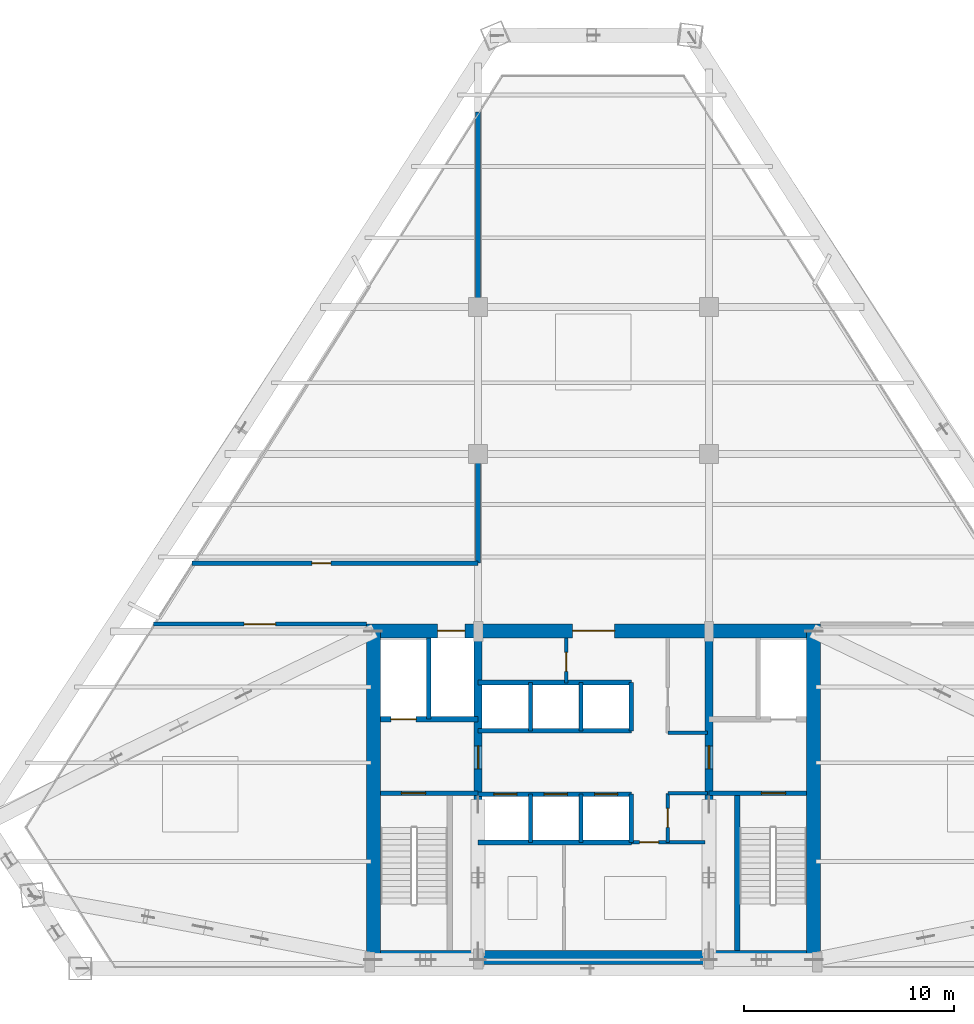
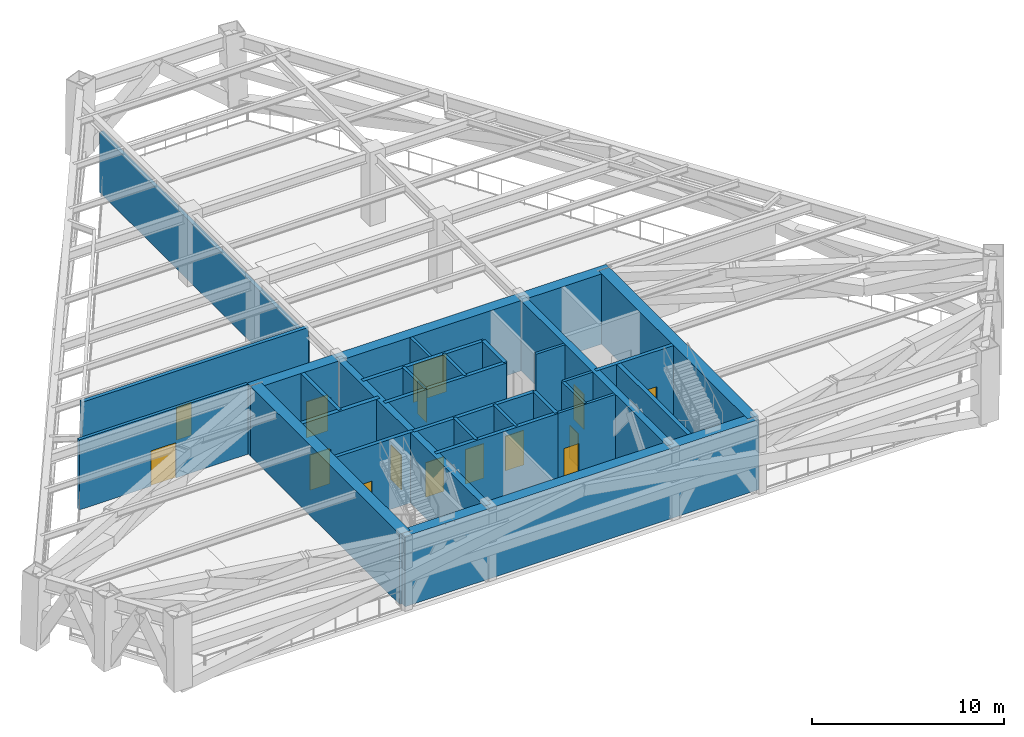
# One storey, part 6 of 9: 29 walls, 15 doors, 15 openings.
"""IFC4 building model written with IfcOpenShell, lengths in metres."""

from ifc_helpers import new_model, si_unit, direction, frame, frame_2d, origin, place, context, subcontext, project, spatial, rectangle, extrude, source, transform, mapped, material, layer, layer_set, type_object, type_shapes, element, fill, save


model = new_model("IFC4")

# Units and contexts
model_context = context("Model", 3, precision=1e-05, world=origin(), true_north=direction((0.0, 1.0)))
body_context = subcontext(model_context, "Body", "Model", "MODEL_VIEW")
ifc_project = project(units=[si_unit("LENGTHUNIT", "METRE"), si_unit("AREAUNIT", "SQUARE_METRE"), si_unit("VOLUMEUNIT", "CUBIC_METRE"), si_unit("PLANEANGLEUNIT", "RADIAN"), si_unit("MASSUNIT", "GRAM", prefix="KILO")], contexts=[model_context])

# Site, building, storey
site_placement = place(None, origin())
site = spatial("IfcSite", under=ifc_project, at=site_placement, CompositionType="ELEMENT")
building_placement = place(site_placement, origin())
building = spatial("IfcBuilding", under=site, at=building_placement, Name="Varnakhor Terracotta Tower", CompositionType="ELEMENT")
storey_placement = place(building_placement, frame((0.0, 0.0, 166.300048828125)))
storey = spatial("IfcBuildingStorey", under=building, at=storey_placement, Name="L42", CompositionType="ELEMENT", Elevation=166.300048828125)

# Wall
ifc_material_1 = material(Name="Concrete C50/60", Category="concrete")
ifc_layer_1 = layer(ifc_material_1, 0.64990234375, Name="Concrete C50/60")
ifc_layer_set_1 = layer_set([ifc_layer_1], Name="Concrete C50/60")
wall_type_1 = type_object("IfcWallType", Name="WAL-CORE-650", PredefinedType="SHEAR", material=ifc_layer_set_1)
wall_1_placement = place(storey_placement, frame((-10.64990234375, 0.52490234375, 0.0), z_axis=(0.0, 0.0, 1.0), x_axis=(1.0, 0.0, 0.0)))
element("IfcWall", 1, at=wall_1_placement, inside=storey, type_object=wall_type_1, Name="L42 South Core Shear Wall", PredefinedType="SHEAR", context=body_context, shape_type="SweptSolid", body=[
    extrude(rectangle(XDim=21.2998046875, YDim=0.64990234375, at=frame_2d((10.64990234375, 0.0))), origin(), (0.0, 0.0, 1.0), 4.469970703125),
])

# Wall, openings, doors
wall_2_placement = place(storey_placement, frame((-10.800048828125, 16.074951171875, 0.0), z_axis=(0.0, 0.0, 1.0), x_axis=(1.0, 0.0, 0.0)))
wall_2 = element("IfcWall", 2, at=wall_2_placement, inside=storey, type_object=wall_type_1, Name="L42 North Core Shear Wall", PredefinedType="SHEAR", context=body_context, shape_type="SweptSolid", body=[
    extrude(rectangle(XDim=21.60009765625, YDim=0.64990234375, at=frame_2d((10.800048828125, 0.0))), origin(), (0.0, 0.0, 1.0), 4.469970703125),
])
opening_1_placement = place(wall_2_placement, frame((3.3701171875, 0.0, 0.0)))
opening_1 = element("IfcOpeningElement", 3, at=opening_1_placement, cuts=wall_2, Name="Opening LD-03", PredefinedType="OPENING", context=body_context, shape_type="SweptSolid", body=[
    extrude(rectangle(XDim=1.300048828125, YDim=2.300048828125, at=frame_2d((0.64990234375, 1.14990234375))), frame((0.0, 0.3349609375, 0.0), z_axis=(0.0, -1.0, 0.0), x_axis=(1.0, 0.0, 0.0)), (0.0, 0.0, 1.0), 0.669921875),
])
opening_2_placement = place(wall_2_placement, frame((9.800048828125, 0.0, 0.0)))
opening_2 = element("IfcOpeningElement", 4, at=opening_2_placement, cuts=wall_2, Name="Opening DR-32", PredefinedType="OPENING", context=body_context, shape_type="SweptSolid", body=[
    extrude(rectangle(XDim=2.0, YDim=2.39990234375, at=frame_2d((1.0, 1.199951171875))), frame((0.0, 0.3349609375, 0.0), z_axis=(0.0, -1.0, 0.0), x_axis=(1.0, 0.0, 0.0)), (0.0, 0.0, 1.0), 0.669921875),
])
ifc_material_2 = material(Name="Heavy-Duty Goods Sliding Lift Landing Door", Category="steel")
door_type_1 = type_object("IfcDoorType", Name="LD-SRV-1300X2300", OperationType="NOTDEFINED", PredefinedType="DOOR", material=ifc_material_2)
shared_shape_1 = source(origin(), body_context, "Body", "SweptSolid", [
    extrude(rectangle(XDim=1.300048828125, YDim=2.300048828125, at=frame_2d((0.64990234375, 1.14990234375))), frame((0.0, 0.02490234375, 0.0), z_axis=(0.0, -1.0, 0.0), x_axis=(1.0, 0.0, 0.0)), (0.0, 0.0, 1.0), 0.050048828125),
])
type_shapes(door_type_1, [shared_shape_1])
door_1_placement = place(opening_1_placement, origin())
door_1 = element("IfcDoor", 5, at=door_1_placement, inside=storey, type_object=door_type_1, Name="L42 Service Lift SVL-1 Landing Door", OperationType="SLIDING_TO_RIGHT", OverallHeight=2.300048828125, OverallWidth=1.300048828125, PredefinedType="DOOR", context=body_context, shape_type="MappedRepresentation", body=[
    mapped(shared_shape_1, transform((0.0, 0.0, 0.0), scale=1.0)),
])
fill(opening_1, door_1)
ifc_material_3 = material(Name="Acoustic Double Assembly Fire Door", Category="wood")
door_type_2 = type_object("IfcDoorType", Name="DR-HALL-2000X2400", OperationType="NOTDEFINED", PredefinedType="DOOR", material=ifc_material_3)
shared_shape_2 = source(origin(), body_context, "Body", "SweptSolid", [
    extrude(rectangle(XDim=2.0, YDim=2.39990234375, at=frame_2d((1.0, 1.199951171875))), frame((0.0, 0.02490234375, 0.0), z_axis=(0.0, -1.0, 0.0), x_axis=(1.0, 0.0, 0.0)), (0.0, 0.0, 1.0), 0.050048828125),
])
type_shapes(door_type_2, [shared_shape_2])
door_2_placement = place(opening_2_placement, origin())
door_2 = element("IfcDoor", 6, at=door_2_placement, inside=storey, type_object=door_type_2, Name="L42 Core Main Lobby Double Door", OperationType="DOUBLE_DOOR_SINGLE_SWING", OverallHeight=2.39990234375, OverallWidth=2.0, PredefinedType="DOOR", context=body_context, shape_type="MappedRepresentation", body=[
    mapped(shared_shape_2, transform((0.0, 0.0, 0.0), scale=1.0)),
])
fill(opening_2, door_2)

# Walls
for number, where, z_axis, x_axis, name in (
    (7, (-10.47509765625, 0.52490234375, 0.0), (0.0, 0.0, 1.0), (0.0, 1.0, 0.0), "L42 West Core Shear Wall"),
    (8, (10.47509765625, 0.52490234375, 0.0), (0.0, 0.0, 1.0), (0.0, 1.0, 0.0), "L42 East Core Shear Wall"),
):
    element("IfcWall", number, at=place(storey_placement, frame(where, z_axis=z_axis, x_axis=x_axis)), inside=storey, type_object=wall_type_1, Name=name, PredefinedType="SHEAR", context=body_context, shape_type="SweptSolid", body=[
        extrude(rectangle(XDim=15.550048828125, YDim=0.64990234375, at=frame_2d((7.77490234375, 0.0))), origin(), (0.0, 0.0, 1.0), 4.469970703125),
    ])

# Wall, opening, door
ifc_layer_2 = layer(ifc_material_1, 0.39990234375, Name="Concrete C50/60")
ifc_layer_set_2 = layer_set([ifc_layer_2], Name="Concrete C50/60")
wall_type_2 = type_object("IfcWallType", Name="WAL-CORE-WEB-400", PredefinedType="SHEAR", material=ifc_layer_set_2)
wall_3_placement = place(storey_placement, frame((-5.5, 0.52490234375, 0.0), z_axis=(0.0, 0.0, 1.0), x_axis=(0.0, 1.0, 0.0)))
wall_3 = element("IfcWall", 9, at=wall_3_placement, inside=storey, type_object=wall_type_2, Name="L42 West Core Web Shear Wall", PredefinedType="SHEAR", context=body_context, shape_type="SweptSolid", body=[
    extrude(rectangle(XDim=15.550048828125, YDim=0.39990234375, at=frame_2d((7.77490234375, 0.0))), origin(), (0.0, 0.0, 1.0), 4.469970703125),
])
opening_3_placement = place(wall_3_placement, frame((8.97509765625, 0.0, 0.0)))
opening_3 = element("IfcOpeningElement", 10, at=opening_3_placement, cuts=wall_3, Name="Opening DR-25", PredefinedType="OPENING", context=body_context, shape_type="SweptSolid", body=[
    extrude(rectangle(XDim=1.10009765625, YDim=2.199951171875, at=frame_2d((0.550048828125, 1.10009765625))), frame((0.0, 0.2099609375, 0.0), z_axis=(0.0, -1.0, 0.0), x_axis=(1.0, 0.0, 0.0)), (0.0, 0.0, 1.0), 0.419921875),
])
ifc_material_4 = material(Name="Firefighting Lobby Self-Closing Fire Door", Category="steel")
door_type_3 = type_object("IfcDoorType", Name="DR-FFL-1100X2200", OperationType="NOTDEFINED", PredefinedType="DOOR", material=ifc_material_4)
shared_shape_3 = source(origin(), body_context, "Body", "SweptSolid", [
    extrude(rectangle(XDim=1.10009765625, YDim=2.199951171875, at=frame_2d((0.550048828125, 1.10009765625))), frame((0.0, 0.02490234375, 0.0), z_axis=(0.0, -1.0, 0.0), x_axis=(1.0, 0.0, 0.0)), (0.0, 0.0, 1.0), 0.050048828125),
])
type_shapes(door_type_3, [shared_shape_3])
door_3_placement = place(opening_3_placement, origin())
door_3 = element("IfcDoor", 11, at=door_3_placement, inside=storey, type_object=door_type_3, Name="L42 West Firefighting Lobby Door", OperationType="SINGLE_SWING_RIGHT", OverallHeight=2.199951171875, OverallWidth=1.10009765625, PredefinedType="DOOR", context=body_context, shape_type="MappedRepresentation", body=[
    mapped(shared_shape_3, transform((0.0, 0.0, 0.0), scale=1.0)),
])
fill(opening_3, door_3)

wall_4_placement = place(storey_placement, frame((5.5, 0.52490234375, 0.0), z_axis=(0.0, 0.0, 1.0), x_axis=(0.0, 1.0, 0.0)))
wall_4 = element("IfcWall", 12, at=wall_4_placement, inside=storey, type_object=wall_type_2, Name="L42 East Core Web Shear Wall", PredefinedType="SHEAR", context=body_context, shape_type="SweptSolid", body=[
    extrude(rectangle(XDim=15.550048828125, YDim=0.39990234375, at=frame_2d((7.77490234375, 0.0))), origin(), (0.0, 0.0, 1.0), 4.469970703125),
])
opening_4_placement = place(wall_4_placement, frame((8.97509765625, 0.0, 0.0)))
opening_4 = element("IfcOpeningElement", 13, at=opening_4_placement, cuts=wall_4, Name="Opening DR-25", PredefinedType="OPENING", context=body_context, shape_type="SweptSolid", body=[
    extrude(rectangle(XDim=1.10009765625, YDim=2.199951171875, at=frame_2d((0.550048828125, 1.10009765625))), frame((0.0, 0.2099609375, 0.0), z_axis=(0.0, -1.0, 0.0), x_axis=(1.0, 0.0, 0.0)), (0.0, 0.0, 1.0), 0.419921875),
])
door_4_placement = place(opening_4_placement, origin())
door_4 = element("IfcDoor", 14, at=door_4_placement, inside=storey, type_object=door_type_3, Name="L42 East Firefighting Lobby Door", OperationType="SINGLE_SWING_RIGHT", OverallHeight=2.199951171875, OverallWidth=1.10009765625, PredefinedType="DOOR", context=body_context, shape_type="MappedRepresentation", body=[
    mapped(shared_shape_3, transform((0.0, 0.0, 0.0), scale=1.0)),
])
fill(opening_4, door_4)

ifc_material_5 = material(Name="Fire-Rated Gypsum Stud Partition", Category="gypsum")
ifc_layer_3 = layer(ifc_material_5, 0.18505859375, Name="Fire-Rated Gypsum Stud Partition")
ifc_layer_set_3 = layer_set([ifc_layer_3], Name="Fire-Rated Gypsum Stud Partition")
wall_type_3 = type_object("IfcWallType", Name="WAL-CORR-185", PredefinedType="PARTITIONING", material=ifc_layer_set_3)
wall_5_placement = place(storey_placement, frame((-20.962158203125, 16.39990234375, 0.0), z_axis=(0.0, 0.0, 1.0), x_axis=(1.0, 0.0, 0.0)))
wall_5 = element("IfcWall", 15, at=wall_5_placement, inside=storey, type_object=wall_type_3, Name="L42 West Plant Wall", PredefinedType="PARTITIONING", context=body_context, shape_type="SweptSolid", body=[
    extrude(rectangle(XDim=10.14208984375, YDim=0.18505859375, at=frame_2d((5.071044921875, 0.0))), origin(), (0.0, 0.0, 1.0), 4.4619140625),
])
opening_5_placement = place(wall_5_placement, frame((4.321044921875, 0.0, 0.0)))
opening_5 = element("IfcOpeningElement", 16, at=opening_5_placement, cuts=wall_5, Name="Opening DR-30", PredefinedType="OPENING", context=body_context, shape_type="SweptSolid", body=[
    extrude(rectangle(XDim=1.5, YDim=2.25, at=frame_2d((0.75, 1.125))), frame((0.0, 0.1025390625, 0.0), z_axis=(0.0, -1.0, 0.0), x_axis=(1.0, 0.0, 0.0)), (0.0, 0.0, 1.0), 0.205078125),
])
ifc_material_6 = material(Name="Double Acoustic Conference Room Door", Category="wood")
door_type_4 = type_object("IfcDoorType", Name="DR-MEET-1500X2250", OperationType="NOTDEFINED", PredefinedType="DOOR", material=ifc_material_6)
shared_shape_4 = source(origin(), body_context, "Body", "SweptSolid", [
    extrude(rectangle(XDim=1.5, YDim=2.25, at=frame_2d((0.75, 1.125))), frame((0.0, 0.02490234375, 0.0), z_axis=(0.0, -1.0, 0.0), x_axis=(1.0, 0.0, 0.0)), (0.0, 0.0, 1.0), 0.050048828125),
])
type_shapes(door_type_4, [shared_shape_4])
door_5_placement = place(opening_5_placement, origin())
door_5 = element("IfcDoor", 17, at=door_5_placement, inside=storey, type_object=door_type_4, Name="L42 West Mechanical Room Door", OperationType="DOUBLE_DOOR_SINGLE_SWING", OverallHeight=2.25, OverallWidth=1.5, PredefinedType="DOOR", context=body_context, shape_type="MappedRepresentation", body=[
    mapped(shared_shape_4, transform((0.0, 0.0, 0.0), scale=1.0)),
])
fill(opening_5, door_5)

ifc_material_7 = material(Name="Concrete C40/50", Category="concrete")
ifc_layer_4 = layer(ifc_material_7, 0.219970703125, Name="Concrete C40/50")
ifc_layer_set_4 = layer_set([ifc_layer_4], Name="Concrete C40/50")
wall_type_4 = type_object("IfcWallType", Name="WAL-FFLOBBY-220", PredefinedType="SOLIDWALL", material=ifc_layer_set_4)
wall_6_placement = place(storey_placement, frame((-5.5, 8.35009765625, 0.0), z_axis=(0.0, 0.0, 1.0), x_axis=(-1.0, 0.0, 0.0)))
wall_6 = element("IfcWall", 18, at=wall_6_placement, inside=storey, type_object=wall_type_4, Name="L42 West Firefighting Lobby Stair Wall", PredefinedType="SOLIDWALL", context=body_context, shape_type="SweptSolid", body=[
    extrude(rectangle(XDim=4.64990234375, YDim=0.219970703125, at=frame_2d((2.324951171875, 0.0))), origin(), (0.0, 0.0, 1.0), 4.469970703125),
])
opening_6_placement = place(wall_6_placement, frame((2.5, 0.0, 0.0)))
opening_6 = element("IfcOpeningElement", 19, at=opening_6_placement, cuts=wall_6, Name="Opening DR-34", PredefinedType="OPENING", context=body_context, shape_type="SweptSolid", body=[
    extrude(rectangle(XDim=1.14990234375, YDim=2.199951171875, at=frame_2d((0.574951171875, 1.10009765625))), frame((0.0, 0.1201171875, 0.0), z_axis=(0.0, -1.0, 0.0), x_axis=(1.0, 0.0, 0.0)), (0.0, 0.0, 1.0), 0.239990234375),
])
ifc_material_8 = material(Name="Self-Closing Smoke-Sealed Steel Fire Door", Category="steel")
door_type_5 = type_object("IfcDoorType", Name="DR-STAIR-1150X2200", OperationType="NOTDEFINED", PredefinedType="DOOR", material=ifc_material_8)
shared_shape_5 = source(origin(), body_context, "Body", "SweptSolid", [
    extrude(rectangle(XDim=1.14990234375, YDim=2.199951171875, at=frame_2d((0.574951171875, 1.10009765625))), frame((0.0, 0.02490234375, 0.0), z_axis=(0.0, -1.0, 0.0), x_axis=(1.0, 0.0, 0.0)), (0.0, 0.0, 1.0), 0.050048828125),
])
type_shapes(door_type_5, [shared_shape_5])
door_6_placement = place(opening_6_placement, origin())
door_6 = element("IfcDoor", 20, at=door_6_placement, inside=storey, type_object=door_type_5, Name="L42 Exit Stair ST-1 Fire Door", OperationType="SINGLE_SWING_LEFT", OverallHeight=2.199951171875, OverallWidth=1.14990234375, PredefinedType="DOOR", context=body_context, shape_type="MappedRepresentation", body=[
    mapped(shared_shape_5, transform((0.0, 0.0, 0.0), scale=1.0)),
])
fill(opening_6, door_6)

wall_7_placement = place(storey_placement, frame((10.14990234375, 8.35009765625, 0.0), z_axis=(0.0, 0.0, 1.0), x_axis=(-1.0, 0.0, 0.0)))
wall_7 = element("IfcWall", 21, at=wall_7_placement, inside=storey, type_object=wall_type_4, Name="L42 East Firefighting Lobby Stair Wall", PredefinedType="SOLIDWALL", context=body_context, shape_type="SweptSolid", body=[
    extrude(rectangle(XDim=4.64990234375, YDim=0.219970703125, at=frame_2d((2.324951171875, 0.0))), origin(), (0.0, 0.0, 1.0), 4.469970703125),
])
opening_7_placement = place(wall_7_placement, frame((1.0, 0.0, 0.0)))
opening_7 = element("IfcOpeningElement", 22, at=opening_7_placement, cuts=wall_7, Name="Opening DR-34", PredefinedType="OPENING", context=body_context, shape_type="SweptSolid", body=[
    extrude(rectangle(XDim=1.14990234375, YDim=2.199951171875, at=frame_2d((0.574951171875, 1.10009765625))), frame((0.0, 0.1201171875, 0.0), z_axis=(0.0, -1.0, 0.0), x_axis=(1.0, 0.0, 0.0)), (0.0, 0.0, 1.0), 0.239990234375),
])
door_7_placement = place(opening_7_placement, origin())
door_7 = element("IfcDoor", 23, at=door_7_placement, inside=storey, type_object=door_type_5, Name="L42 Exit Stair ST-2 Fire Door", OperationType="SINGLE_SWING_LEFT", OverallHeight=2.199951171875, OverallWidth=1.14990234375, PredefinedType="DOOR", context=body_context, shape_type="MappedRepresentation", body=[
    mapped(shared_shape_5, transform((0.0, 0.0, 0.0), scale=1.0)),
])
fill(opening_7, door_7)

wall_8_placement = place(storey_placement, frame((-19.124267578125, 19.300048828125, 0.0), z_axis=(0.0, 0.0, 1.0), x_axis=(1.0, 0.0, 0.0)))
wall_8 = element("IfcWall", 24, at=wall_8_placement, inside=storey, type_object=wall_type_4, Name="L42 Booster Pump South Firewall", PredefinedType="SOLIDWALL", context=body_context, shape_type="SweptSolid", body=[
    extrude(rectangle(XDim=13.624267578125, YDim=0.219970703125, at=frame_2d((6.81201171875, 0.0))), origin(), (0.0, 0.0, 1.0), 4.4619140625),
])
opening_8_placement = place(wall_8_placement, frame((5.71484375, 0.0, 0.0)))
opening_8 = element("IfcOpeningElement", 25, at=opening_8_placement, cuts=wall_8, Name="Opening DR-67", PredefinedType="OPENING", context=body_context, shape_type="SweptSolid", body=[
    extrude(rectangle(XDim=0.89990234375, YDim=2.10009765625, at=frame_2d((0.449951171875, 1.050048828125))), frame((0.0, 0.1201171875, 0.0), z_axis=(0.0, -1.0, 0.0), x_axis=(1.0, 0.0, 0.0)), (0.0, 0.0, 1.0), 0.239990234375),
])
ifc_material_9 = material(Name="Steel Service Riser Fire Door", Category="steel")
door_type_6 = type_object("IfcDoorType", Name="DR-RISER-900X2100", OperationType="NOTDEFINED", PredefinedType="DOOR", material=ifc_material_9)
shared_shape_6 = source(origin(), body_context, "Body", "SweptSolid", [
    extrude(rectangle(XDim=0.89990234375, YDim=2.10009765625, at=frame_2d((0.449951171875, 1.050048828125))), frame((0.0, 0.02490234375, 0.0), z_axis=(0.0, -1.0, 0.0), x_axis=(1.0, 0.0, 0.0)), (0.0, 0.0, 1.0), 0.050048828125),
])
type_shapes(door_type_6, [shared_shape_6])
door_8_placement = place(opening_8_placement, origin())
door_8 = element("IfcDoor", 26, at=door_8_placement, inside=storey, type_object=door_type_6, Name="L42 Booster Pump Room Door", OperationType="SINGLE_SWING_RIGHT", OverallHeight=2.10009765625, OverallWidth=0.89990234375, PredefinedType="DOOR", context=body_context, shape_type="MappedRepresentation", body=[
    mapped(shared_shape_6, transform((0.0, 0.0, 0.0), scale=1.0)),
])
fill(opening_8, door_8)

# Walls
wall_9_placement = place(storey_placement, frame((-5.5, 19.300048828125, 0.0), z_axis=(0.0, 0.0, 1.0), x_axis=(0.0, 1.0, 0.0)))
element("IfcWall", 27, at=wall_9_placement, inside=storey, type_object=wall_type_4, Name="L42 Refuge Plant Firewall", PredefinedType="SOLIDWALL", context=body_context, shape_type="SweptSolid", body=[
    extrude(rectangle(XDim=21.49755859375, YDim=0.219970703125, at=frame_2d((10.748779296875, 0.0))), origin(), (0.0, 0.0, 1.0), 3.845947265625),
])
ifc_layer_5 = layer(ifc_material_7, 0.179931640625, Name="Concrete C40/50")
ifc_layer_set_5 = layer_set([ifc_layer_5], Name="Concrete C40/50")
wall_type_5 = type_object("IfcWallType", Name="WAL-SHAFT-180", PredefinedType="SOLIDWALL", material=ifc_layer_set_5)
for number, where, z_axis, x_axis, name in (
    (28, (-3.0, 6.0, 0.0), (0.0, 0.0, 1.0), (0.0, 1.0, 0.0), "L42 PL-2A Divider"),
    (29, (-0.60009765625, 6.0, 0.0), (0.0, 0.0, 1.0), (0.0, 1.0, 0.0), "L42 PL-2B Divider"),
    (30, (-3.0, 11.320068359375, 0.0), (0.0, 0.0, 1.0), (0.0, 1.0, 0.0), "L42 PL-3A Divider"),
    (31, (-0.60009765625, 11.320068359375, 0.0), (0.0, 0.0, 1.0), (0.0, 1.0, 0.0), "L42 PL-3B Divider"),
):
    element("IfcWall", number, at=place(storey_placement, frame(where, z_axis=z_axis, x_axis=x_axis)), inside=storey, type_object=wall_type_5, Name=name, PredefinedType="SOLIDWALL", context=body_context, shape_type="SweptSolid", body=[
        extrude(rectangle(XDim=2.300048828125, YDim=0.179931640625, at=frame_2d((1.14990234375, 0.0))), origin(), (0.0, 0.0, 1.0), 4.469970703125),
    ])
ifc_layer_6 = layer(ifc_material_7, 0.219970703125, Name="Concrete C40/50")
ifc_layer_set_6 = layer_set([ifc_layer_6], Name="Concrete C40/50")
wall_type_6 = type_object("IfcWallType", Name="WAL-SHAFT-220", PredefinedType="SOLIDWALL", material=ifc_layer_set_6)
wall_10_placement = place(storey_placement, frame((-7.840087890625, 11.8701171875, 0.0), z_axis=(0.0, 0.0, 1.0), x_axis=(0.0, 1.0, 0.0)))
element("IfcWall", 32, at=wall_10_placement, inside=storey, type_object=wall_type_6, Name="L42 Lift FFL-1 and SVL-1 Divider Wall", PredefinedType="SOLIDWALL", context=body_context, shape_type="SweptSolid", body=[
    extrude(rectangle(XDim=3.8798828125, YDim=0.219970703125, at=frame_2d((1.93994140625, 0.0))), origin(), (0.0, 0.0, 1.0), 4.469970703125),
])
wall_11_placement = place(storey_placement, frame((-5.5, 6.0, 0.0), z_axis=(0.0, 0.0, 1.0), x_axis=(1.0, 0.0, 0.0)))
element("IfcWall", 33, at=wall_11_placement, inside=storey, type_object=wall_type_6, Name="L42 Bank 2 South Shaft Wall", PredefinedType="SOLIDWALL", context=body_context, shape_type="SweptSolid", body=[
    extrude(rectangle(XDim=7.320068359375, YDim=0.219970703125, at=frame_2d((3.66015625, 0.0))), origin(), (0.0, 0.0, 1.0), 4.469970703125),
])

# Wall, openings, doors
wall_12_placement = place(storey_placement, frame((-5.5, 8.300048828125, 0.0), z_axis=(0.0, 0.0, 1.0), x_axis=(1.0, 0.0, 0.0)))
wall_12 = element("IfcWall", 34, at=wall_12_placement, inside=storey, type_object=wall_type_6, Name="L42 Bank 2 North Shaft Wall", PredefinedType="SOLIDWALL", context=body_context, shape_type="SweptSolid", body=[
    extrude(rectangle(XDim=7.320068359375, YDim=0.219970703125, at=frame_2d((3.66015625, 0.0))), origin(), (0.0, 0.0, 1.0), 4.469970703125),
])
opening_9_placement = place(wall_12_placement, frame((0.75, 0.0, 0.0)))
opening_9 = element("IfcOpeningElement", 35, at=opening_9_placement, cuts=wall_12, Name="Opening LD-01", PredefinedType="OPENING", context=body_context, shape_type="SweptSolid", body=[
    extrude(rectangle(XDim=1.10009765625, YDim=2.199951171875, at=frame_2d((0.550048828125, 1.10009765625))), frame((0.0, 0.1201171875, 0.0), z_axis=(0.0, -1.0, 0.0), x_axis=(1.0, 0.0, 0.0)), (0.0, 0.0, 1.0), 0.239990234375),
])
opening_10_placement = place(wall_12_placement, frame((3.14990234375, 0.0, 0.0)))
opening_10 = element("IfcOpeningElement", 36, at=opening_10_placement, cuts=wall_12, Name="Opening LD-01", PredefinedType="OPENING", context=body_context, shape_type="SweptSolid", body=[
    extrude(rectangle(XDim=1.10009765625, YDim=2.199951171875, at=frame_2d((0.550048828125, 1.10009765625))), frame((0.0, 0.1201171875, 0.0), z_axis=(0.0, -1.0, 0.0), x_axis=(1.0, 0.0, 0.0)), (0.0, 0.0, 1.0), 0.239990234375),
])
opening_11_placement = place(wall_12_placement, frame((5.550048828125, 0.0, 0.0)))
opening_11 = element("IfcOpeningElement", 37, at=opening_11_placement, cuts=wall_12, Name="Opening LD-01", PredefinedType="OPENING", context=body_context, shape_type="SweptSolid", body=[
    extrude(rectangle(XDim=1.10009765625, YDim=2.199951171875, at=frame_2d((0.550048828125, 1.10009765625))), frame((0.0, 0.1201171875, 0.0), z_axis=(0.0, -1.0, 0.0), x_axis=(1.0, 0.0, 0.0)), (0.0, 0.0, 1.0), 0.239990234375),
])
ifc_material_10 = material(Name="Brushed Stainless Steel Sliding Lift Landing Door", Category="steel")
door_type_7 = type_object("IfcDoorType", Name="LD-PASS-1100X2200", OperationType="NOTDEFINED", PredefinedType="DOOR", material=ifc_material_10)
shared_shape_7 = source(origin(), body_context, "Body", "SweptSolid", [
    extrude(rectangle(XDim=1.10009765625, YDim=2.199951171875, at=frame_2d((0.550048828125, 1.10009765625))), frame((0.0, 0.02490234375, 0.0), z_axis=(0.0, -1.0, 0.0), x_axis=(1.0, 0.0, 0.0)), (0.0, 0.0, 1.0), 0.050048828125),
])
type_shapes(door_type_7, [shared_shape_7])
door_9_placement = place(opening_9_placement, origin())
door_9 = element("IfcDoor", 38, at=door_9_placement, inside=storey, type_object=door_type_7, Name="L42 Passenger Lift PL-2A Landing Door", OperationType="SLIDING_TO_LEFT", OverallHeight=2.199951171875, OverallWidth=1.10009765625, PredefinedType="DOOR", context=body_context, shape_type="MappedRepresentation", body=[
    mapped(shared_shape_7, transform((0.0, 0.0, 0.0), scale=1.0)),
])
fill(opening_9, door_9)
door_10_placement = place(opening_10_placement, origin())
door_10 = element("IfcDoor", 39, at=door_10_placement, inside=storey, type_object=door_type_7, Name="L42 Passenger Lift PL-2B Landing Door", OperationType="SLIDING_TO_LEFT", OverallHeight=2.199951171875, OverallWidth=1.10009765625, PredefinedType="DOOR", context=body_context, shape_type="MappedRepresentation", body=[
    mapped(shared_shape_7, transform((0.0, 0.0, 0.0), scale=1.0)),
])
fill(opening_10, door_10)
door_11_placement = place(opening_11_placement, origin())
door_11 = element("IfcDoor", 40, at=door_11_placement, inside=storey, type_object=door_type_7, Name="L42 Passenger Lift PL-2C Landing Door", OperationType="SLIDING_TO_LEFT", OverallHeight=2.199951171875, OverallWidth=1.10009765625, PredefinedType="DOOR", context=body_context, shape_type="MappedRepresentation", body=[
    mapped(shared_shape_7, transform((0.0, 0.0, 0.0), scale=1.0)),
])
fill(opening_11, door_11)

# Walls
wall_13_placement = place(storey_placement, frame((1.800048828125, 6.0, 0.0), z_axis=(0.0, 0.0, 1.0), x_axis=(0.0, 1.0, 0.0)))
element("IfcWall", 41, at=wall_13_placement, inside=storey, type_object=wall_type_6, Name="L42 Bank 2 East Shaft Wall", PredefinedType="SOLIDWALL", context=body_context, shape_type="SweptSolid", body=[
    extrude(rectangle(XDim=2.300048828125, YDim=0.219970703125, at=frame_2d((1.14990234375, 0.0))), origin(), (0.0, 0.0, 1.0), 4.469970703125),
])
for number, where, z_axis, x_axis, name in (
    (42, (-5.5, 11.320068359375, 0.0), (0.0, 0.0, 1.0), (1.0, 0.0, 0.0), "L42 Bank 3 South Shaft Wall"),
    (43, (-5.5, 13.6201171875, 0.0), (0.0, 0.0, 1.0), (1.0, 0.0, 0.0), "L42 Bank 3 North Shaft Wall"),
):
    element("IfcWall", number, at=place(storey_placement, frame(where, z_axis=z_axis, x_axis=x_axis)), inside=storey, type_object=wall_type_6, Name=name, PredefinedType="SOLIDWALL", context=body_context, shape_type="SweptSolid", body=[
        extrude(rectangle(XDim=7.320068359375, YDim=0.219970703125, at=frame_2d((3.66015625, 0.0))), origin(), (0.0, 0.0, 1.0), 4.469970703125),
    ])
wall_14_placement = place(storey_placement, frame((1.800048828125, 11.320068359375, 0.0), z_axis=(0.0, 0.0, 1.0), x_axis=(0.0, 1.0, 0.0)))
element("IfcWall", 44, at=wall_14_placement, inside=storey, type_object=wall_type_6, Name="L42 Bank 3 East Shaft Wall", PredefinedType="SOLIDWALL", context=body_context, shape_type="SweptSolid", body=[
    extrude(rectangle(XDim=2.300048828125, YDim=0.219970703125, at=frame_2d((1.14990234375, 0.0))), origin(), (0.0, 0.0, 1.0), 4.469970703125),
])

# Wall, opening, door
ifc_layer_7 = layer(ifc_material_7, 0.25, Name="Concrete C40/50")
ifc_layer_set_7 = layer_set([ifc_layer_7], Name="Concrete C40/50")
wall_type_7 = type_object("IfcWallType", Name="WAL-SHAFT-250", PredefinedType="SOLIDWALL", material=ifc_layer_set_7)
wall_15_placement = place(storey_placement, frame((-5.5, 11.8701171875, 0.0), z_axis=(0.0, 0.0, 1.0), x_axis=(-1.0, 0.0, 0.0)))
wall_15 = element("IfcWall", 45, at=wall_15_placement, inside=storey, type_object=wall_type_7, Name="L42 Lift FFL-1 Shaft Front Wall", PredefinedType="SOLIDWALL", context=body_context, shape_type="SweptSolid", body=[
    extrude(rectangle(XDim=4.64990234375, YDim=0.25, at=frame_2d((2.324951171875, 0.0))), origin(), (0.0, 0.0, 1.0), 4.469970703125),
])
opening_12_placement = place(wall_15_placement, frame((2.949951171875, 0.0, 0.0)))
opening_12 = element("IfcOpeningElement", 46, at=opening_12_placement, cuts=wall_15, Name="Opening LD-02", PredefinedType="OPENING", context=body_context, shape_type="SweptSolid", body=[
    extrude(rectangle(XDim=1.199951171875, YDim=2.25, at=frame_2d((0.60009765625, 1.125))), frame((0.0, 0.135009765625, 0.0), z_axis=(0.0, -1.0, 0.0), x_axis=(1.0, 0.0, 0.0)), (0.0, 0.0, 1.0), 0.27001953125),
])
ifc_material_11 = material(Name="Firefighting Stretcher Sliding Lift Landing Door", Category="steel")
door_type_8 = type_object("IfcDoorType", Name="LD-FFL-1200X2250", OperationType="NOTDEFINED", PredefinedType="DOOR", material=ifc_material_11)
shared_shape_8 = source(origin(), body_context, "Body", "SweptSolid", [
    extrude(rectangle(XDim=1.199951171875, YDim=2.25, at=frame_2d((0.60009765625, 1.125))), frame((0.0, 0.02490234375, 0.0), z_axis=(0.0, -1.0, 0.0), x_axis=(1.0, 0.0, 0.0)), (0.0, 0.0, 1.0), 0.050048828125),
])
type_shapes(door_type_8, [shared_shape_8])
door_12_placement = place(opening_12_placement, origin())
door_12 = element("IfcDoor", 47, at=door_12_placement, inside=storey, type_object=door_type_8, Name="L42 Firefighting Lift FFL-1 Landing Door", OperationType="SLIDING_TO_LEFT", OverallHeight=2.25, OverallWidth=1.199951171875, PredefinedType="DOOR", context=body_context, shape_type="MappedRepresentation", body=[
    mapped(shared_shape_8, transform((0.0, 0.0, 0.0), scale=1.0)),
])
fill(opening_12, door_12)

# Wall
wall_16_placement = place(storey_placement, frame((6.85009765625, 0.85009765625, 0.0), z_axis=(0.0, 0.0, 1.0), x_axis=(0.0, 1.0, 0.0)))
element("IfcWall", 48, at=wall_16_placement, inside=storey, type_object=wall_type_7, Name="L42 Stair ST-2 Bearing Shaft Wall", PredefinedType="SOLIDWALL", context=body_context, shape_type="SweptSolid", body=[
    extrude(rectangle(XDim=7.5, YDim=0.25, at=frame_2d((3.75, 0.0))), origin(), (0.0, 0.0, 1.0), 4.469970703125),
])

# Wall, opening, door
ifc_material_12 = material(Name="Acoustic Fire-Rated Partition", Category="gypsum")
ifc_layer_8 = layer(ifc_material_12, 0.1650390625, Name="Acoustic Fire-Rated Partition")
ifc_layer_set_8 = layer_set([ifc_layer_8], Name="Acoustic Fire-Rated Partition")
wall_type_8 = type_object("IfcWallType", Name="WAL-TENANCY-165", PredefinedType="PARTITIONING", material=ifc_layer_set_8)
wall_17_placement = place(storey_placement, frame((1.820068359375, 6.0, 0.0), z_axis=(0.0, 0.0, 1.0), x_axis=(1.0, 0.0, 0.0)))
wall_17 = element("IfcWall", 49, at=wall_17_placement, inside=storey, type_object=wall_type_8, Name="L42 Reclaimed Core Bay North Rated Wall", PredefinedType="PARTITIONING", context=body_context, shape_type="SweptSolid", body=[
    extrude(rectangle(XDim=3.47998046875, YDim=0.1650390625, at=frame_2d((1.739990234375, 0.0))), origin(), (0.0, 0.0, 1.0), 4.4619140625),
])
opening_13_placement = place(wall_17_placement, frame((0.3798828125, 0.0, 0.0)))
opening_13 = element("IfcOpeningElement", 50, at=opening_13_placement, cuts=wall_17, Name="Opening DR-67", PredefinedType="OPENING", context=body_context, shape_type="SweptSolid", body=[
    extrude(rectangle(XDim=0.89990234375, YDim=2.10009765625, at=frame_2d((0.449951171875, 1.050048828125))), frame((0.0, 0.092529296875, 0.0), z_axis=(0.0, -1.0, 0.0), x_axis=(1.0, 0.0, 0.0)), (0.0, 0.0, 1.0), 0.18505859375),
])
door_13_placement = place(opening_13_placement, origin())
door_13 = element("IfcDoor", 51, at=door_13_placement, inside=storey, type_object=door_type_6, Name="L42 Core Reclaimed Suite Door", OperationType="SINGLE_SWING_LEFT", OverallHeight=2.10009765625, OverallWidth=0.89990234375, PredefinedType="DOOR", context=body_context, shape_type="MappedRepresentation", body=[
    mapped(shared_shape_6, transform((0.0, 0.0, 0.0), scale=1.0)),
])
fill(opening_13, door_13)

wall_18_placement = place(storey_placement, frame((3.5400390625, 6.0, 0.0), z_axis=(0.0, 0.0, 1.0), x_axis=(0.0, 1.0, 0.0)))
wall_18 = element("IfcWall", 52, at=wall_18_placement, inside=storey, type_object=wall_type_8, Name="L42 Accessible WC Rated Wall", PredefinedType="PARTITIONING", context=body_context, shape_type="SweptSolid", body=[
    extrude(rectangle(XDim=2.340087890625, YDim=0.1650390625, at=frame_2d((1.169921875, 0.0))), origin(), (0.0, 0.0, 1.0), 4.4619140625),
])
opening_14_placement = place(wall_18_placement, frame((0.719970703125, 0.0, 0.0)))
opening_14 = element("IfcOpeningElement", 53, at=opening_14_placement, cuts=wall_18, Name="Opening DR-67", PredefinedType="OPENING", context=body_context, shape_type="SweptSolid", body=[
    extrude(rectangle(XDim=0.89990234375, YDim=2.10009765625, at=frame_2d((0.449951171875, 1.050048828125))), frame((0.0, 0.092529296875, 0.0), z_axis=(0.0, -1.0, 0.0), x_axis=(1.0, 0.0, 0.0)), (0.0, 0.0, 1.0), 0.18505859375),
])
door_14_placement = place(opening_14_placement, origin())
door_14 = element("IfcDoor", 54, at=door_14_placement, inside=storey, type_object=door_type_6, Name="L42 Accessible WC Door", OperationType="SINGLE_SWING_LEFT", OverallHeight=2.10009765625, OverallWidth=0.89990234375, PredefinedType="DOOR", context=body_context, shape_type="MappedRepresentation", body=[
    mapped(shared_shape_6, transform((0.0, 0.0, 0.0), scale=1.0)),
])
fill(opening_14, door_14)

# Wall
wall_19_placement = place(storey_placement, frame((3.5400390625, 8.340087890625, 0.0), z_axis=(0.0, 0.0, 1.0), x_axis=(1.0, 0.0, 0.0)))
element("IfcWall", 55, at=wall_19_placement, inside=storey, type_object=wall_type_8, Name="L42 Accessible WC North Wall", PredefinedType="PARTITIONING", context=body_context, shape_type="SweptSolid", body=[
    extrude(rectangle(XDim=1.8798828125, YDim=0.1650390625, at=frame_2d((0.93994140625, 0.0))), origin(), (0.0, 0.0, 1.0), 4.4619140625),
])

# Wall, opening, door
wall_20_placement = place(storey_placement, frame((-1.300048828125, 13.60009765625, 0.0), z_axis=(0.0, 0.0, 1.0), x_axis=(0.0, 1.0, 0.0)))
wall_20 = element("IfcWall", 56, at=wall_20_placement, inside=storey, type_object=wall_type_8, Name="L42 Male Restroom Wall", PredefinedType="PARTITIONING", context=body_context, shape_type="SweptSolid", body=[
    extrude(rectangle(XDim=2.14990234375, YDim=0.1650390625, at=frame_2d((1.074951171875, 0.0))), origin(), (0.0, 0.0, 1.0), 4.4619140625),
])
opening_15_placement = place(wall_20_placement, frame((0.550048828125, 0.0, 0.0)))
opening_15 = element("IfcOpeningElement", 57, at=opening_15_placement, cuts=wall_20, Name="Opening DR-67", PredefinedType="OPENING", context=body_context, shape_type="SweptSolid", body=[
    extrude(rectangle(XDim=0.89990234375, YDim=2.10009765625, at=frame_2d((0.449951171875, 1.050048828125))), frame((0.0, 0.092529296875, 0.0), z_axis=(0.0, -1.0, 0.0), x_axis=(1.0, 0.0, 0.0)), (0.0, 0.0, 1.0), 0.18505859375),
])
door_15_placement = place(opening_15_placement, origin())
door_15 = element("IfcDoor", 58, at=door_15_placement, inside=storey, type_object=door_type_6, Name="L42 Male WC Door", OperationType="SINGLE_SWING_RIGHT", OverallHeight=2.10009765625, OverallWidth=0.89990234375, PredefinedType="DOOR", context=body_context, shape_type="MappedRepresentation", body=[
    mapped(shared_shape_6, transform((0.0, 0.0, 0.0), scale=1.0)),
])
fill(opening_15, door_15)

# Wall
wall_21_placement = place(storey_placement, frame((3.5400390625, 11.219970703125, 0.0), z_axis=(0.0, 0.0, 1.0), x_axis=(1.0, 0.0, 0.0)))
element("IfcWall", 59, at=wall_21_placement, inside=storey, type_object=wall_type_8, Name="L42 Restroom South Wall", PredefinedType="PARTITIONING", context=body_context, shape_type="SweptSolid", body=[
    extrude(rectangle(XDim=1.8798828125, YDim=0.1650390625, at=frame_2d((0.93994140625, 0.0))), origin(), (0.0, 0.0, 1.0), 4.4619140625),
])

save(model, "model.ifc")
